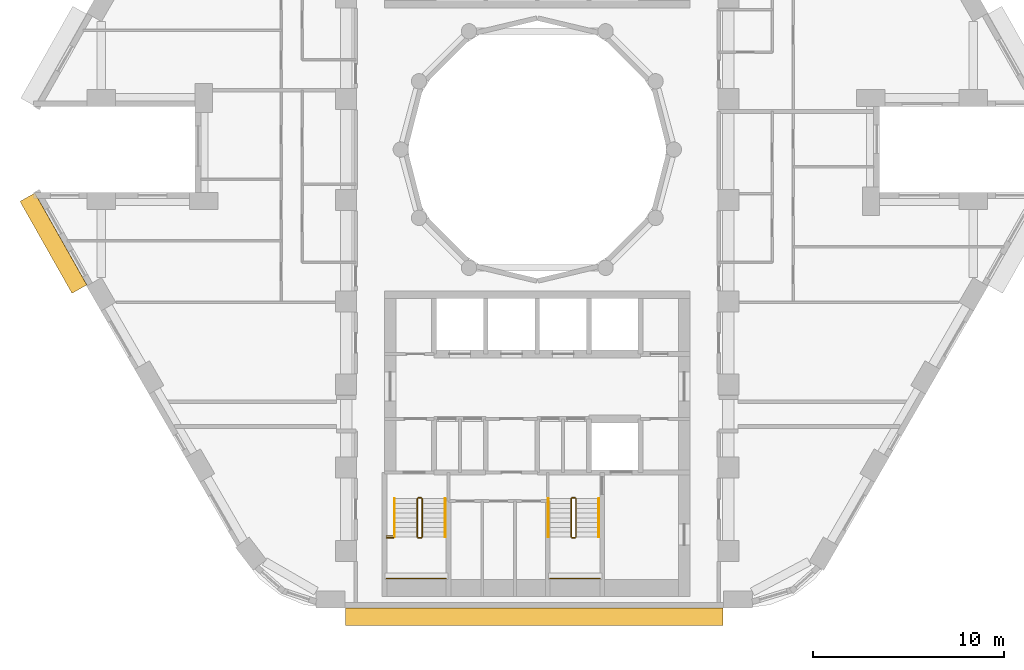
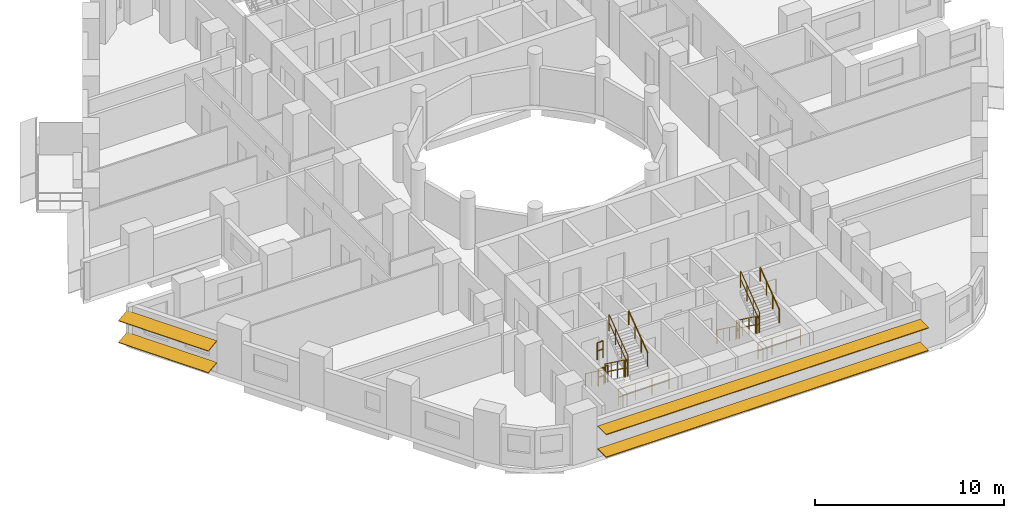
# One storey, part 11 of 13: 16 railings, 4 shading devices.
"""IFC4 building model written with IfcOpenShell, lengths in metres."""

from ifc_helpers import new_model, si_unit, direction, frame, origin, origin_2d, place, context, subcontext, project, spatial, rectangle, circle, extrude, material, material_profile, profile_set, type_object, element, save


model = new_model("IFC4")

# Units and contexts
model_context = context("Model", 3, precision=1e-05, world=origin(), true_north=direction((0.0, 1.0)))
body_context = subcontext(model_context, "Body", "Model", "MODEL_VIEW")
ifc_project = project(units=[si_unit("LENGTHUNIT", "METRE"), si_unit("AREAUNIT", "SQUARE_METRE"), si_unit("VOLUMEUNIT", "CUBIC_METRE"), si_unit("PLANEANGLEUNIT", "RADIAN"), si_unit("MASSUNIT", "GRAM", prefix="KILO")], contexts=[model_context])

# Site, building, storey
site_placement = place(None, origin())
site = spatial("IfcSite", under=ifc_project, at=site_placement, CompositionType="ELEMENT")
building_placement = place(site_placement, origin())
building = spatial("IfcBuilding", under=site, at=building_placement, Name="Nakaniwa Court", CompositionType="ELEMENT")
storey_placement = place(building_placement, frame((0.0, 0.0, 44.699951171875)))
storey = spatial("IfcBuildingStorey", under=building, at=storey_placement, Name="L11", CompositionType="ELEMENT", Elevation=44.699951171875)

# Shading devices
ifc_material_1 = material(Name="Perforated charcoal ceramic louvre blade")
ifc_material_profile = material_profile(ifc_material_1, rectangle(XDim=0.89990234375, YDim=0.050048828125, at=origin_2d()), Name="Perforated ceramic louvre blade")
ifc_profile_set = profile_set([ifc_material_profile], Name="Perforated charcoal ceramic louvre blade")
shading_device_type = type_object("IfcShadingDeviceType", Name="Perforated ceramic louvre blade", PredefinedType="JALOUSIE", material=ifc_profile_set)
for number, where, z_axis, x_axis, name in (
    (1, (53.31689453125, 77.508056640625, 0.550048828125), (0.492342539441, -0.870401530247, 0.0), (0.86275552304, 0.488017576221, 0.132256390257), "L11 perforated ceramic louvre blade w20 1"),
    (2, (53.31689453125, 77.508056640625, 1.955810546875), (0.492342539441, -0.870401530247, 0.0), (0.86275552304, 0.488017576221, 0.132256390257), "L11 perforated ceramic louvre blade w20 2"),
):
    element("IfcShadingDevice", number, at=place(storey_placement, frame(where, z_axis=z_axis, x_axis=x_axis)), inside=storey, type_object=shading_device_type, Name=name, PredefinedType="JALOUSIE", context=body_context, shape_type="SweptSolid", body=[
        extrude(rectangle(XDim=0.89990234375, YDim=0.050048828125, at=origin_2d()), origin(), (0.0, 0.0, 1.0), 5.526611328125),
    ])
for number, where, z_axis, x_axis, name in (
    (3, (69.97119140625, 55.550048828125, 0.550048828125), (1.0, 0.0, 0.0), (0.0, 1.0, 0.0), "L11 perforated ceramic louvre blade w26 1"),
    (4, (69.97119140625, 55.550048828125, 2.01513671875), (1.0, 0.0, 0.0), (0.0, 1.0, 0.0), "L11 perforated ceramic louvre blade w26 2"),
):
    element("IfcShadingDevice", number, at=place(storey_placement, frame(where, z_axis=z_axis, x_axis=x_axis)), inside=storey, type_object=shading_device_type, Name=name, PredefinedType="JALOUSIE", context=body_context, shape_type="SweptSolid", body=[
        extrude(rectangle(XDim=0.89990234375, YDim=0.050048828125, at=origin_2d()), origin(), (0.0, 0.0, 1.0), 19.739990234375),
    ])

# Railings
ifc_material_2 = material(Name="Black powder coated steel guard", Category="steel")
railing_type_1 = type_object("IfcRailingType", Name="Stair guard 1100", PredefinedType="GUARDRAIL", material=ifc_material_2)
railing_1_placement = place(storey_placement, frame((73.72509765625, 61.72509765625, 0.183349609375)))
element("IfcRailing", 5, at=railing_1_placement, inside=storey, type_object=railing_type_1, Name="L11 ST3 stair guard 1", PredefinedType="GUARDRAIL", context=body_context, shape_type="SweptSolid", body=[
    extrude(circle(Radius=0.02392578125, at=origin_2d()), frame((0.0, 0.0, 1.076171875), z_axis=(0.0, -0.806379959628, 0.591397802423), x_axis=(1.0, 0.0, 0.0)), (0.0, 0.0, 1.0), 2.480224609375),
    extrude(circle(Radius=0.02392578125, at=origin_2d()), frame((0.0, 0.0, 0.550048828125), z_axis=(0.0, -0.806379959628, 0.591397802423), x_axis=(1.0, 0.0, 0.0)), (0.0, 0.0, 1.0), 2.480224609375),
    extrude(circle(Radius=0.02099609375, at=origin_2d()), origin(), (0.0, 0.0, 1.0), 1.052001953125),
    extrude(circle(Radius=0.02099609375, at=origin_2d()), frame((0.0, -0.666748046875, 0.489013671875)), (0.0, 0.0, 1.0), 1.052001953125),
    extrude(circle(Radius=0.02099609375, at=origin_2d()), frame((0.0, -1.333251953125, 0.977783203125)), (0.0, 0.0, 1.0), 1.052001953125),
    extrude(circle(Radius=0.02099609375, at=origin_2d()), frame((0.0, -2.0, 1.466796875)), (0.0, 0.0, 1.0), 1.052001953125),
])
railing_2_placement = place(storey_placement, frame((73.77490234375, 59.675048828125, 1.650146484375)))
element("IfcRailing", 6, at=railing_2_placement, inside=storey, type_object=railing_type_1, Name="L11 ST3 stair guard 2", PredefinedType="GUARDRAIL", context=body_context, shape_type="SweptSolid", body=[
    extrude(circle(Radius=0.02392578125, at=origin_2d()), frame((0.0, 0.0, 1.076171875), z_axis=(1.0, 0.0, 0.0), x_axis=(0.0, 1.0, 0.0)), (0.0, 0.0, 1.0), 0.150146484375),
    extrude(circle(Radius=0.02392578125, at=origin_2d()), frame((0.0, 0.0, 0.550048828125), z_axis=(1.0, 0.0, 0.0), x_axis=(0.0, 1.0, 0.0)), (0.0, 0.0, 1.0), 0.150146484375),
    extrude(circle(Radius=0.02099609375, at=origin_2d()), origin(), (0.0, 0.0, 1.0), 1.052001953125),
    extrude(circle(Radius=0.02099609375, at=origin_2d()), frame((0.150146484375, 0.0, 0.0)), (0.0, 0.0, 1.0), 1.052001953125),
])
railing_3_placement = place(storey_placement, frame((73.97509765625, 59.72509765625, 1.83349609375)))
element("IfcRailing", 7, at=railing_3_placement, inside=storey, type_object=railing_type_1, Name="L11 ST3 stair guard 3", PredefinedType="GUARDRAIL", context=body_context, shape_type="SweptSolid", body=[
    extrude(circle(Radius=0.02392578125, at=origin_2d()), frame((0.0, 0.0, 1.076171875), z_axis=(0.0, 0.806426902644, 0.591333789573), x_axis=(-1.0, 0.0, 0.0)), (0.0, 0.0, 1.0), 2.47998046875),
    extrude(circle(Radius=0.02392578125, at=origin_2d()), frame((0.0, 0.0, 0.550048828125), z_axis=(0.0, 0.806426902644, 0.591333789573), x_axis=(-1.0, 0.0, 0.0)), (0.0, 0.0, 1.0), 2.47998046875),
    extrude(circle(Radius=0.02099609375, at=origin_2d()), origin(), (0.0, 0.0, 1.0), 1.052001953125),
    extrude(circle(Radius=0.02099609375, at=origin_2d()), frame((0.0, 0.666748046875, 0.48876953125)), (0.0, 0.0, 1.0), 1.052001953125),
    extrude(circle(Radius=0.02099609375, at=origin_2d()), frame((0.0, 1.333251953125, 0.977783203125)), (0.0, 0.0, 1.0), 1.052001953125),
    extrude(circle(Radius=0.02099609375, at=origin_2d()), frame((0.0, 2.0, 1.466552734375)), (0.0, 0.0, 1.0), 1.052001953125),
])
railing_4_placement = place(storey_placement, frame((73.77490234375, 61.77490234375, 0.0)))
element("IfcRailing", 8, at=railing_4_placement, inside=storey, type_object=railing_type_1, Name="L11 ST3 stair guard 4", PredefinedType="GUARDRAIL", context=body_context, shape_type="SweptSolid", body=[
    extrude(circle(Radius=0.02392578125, at=origin_2d()), frame((0.0, 0.0, 1.076171875), z_axis=(1.0, 0.0, 0.0), x_axis=(0.0, 1.0, 0.0)), (0.0, 0.0, 1.0), 0.150146484375),
    extrude(circle(Radius=0.02392578125, at=origin_2d()), frame((0.0, 0.0, 0.550048828125), z_axis=(1.0, 0.0, 0.0), x_axis=(0.0, 1.0, 0.0)), (0.0, 0.0, 1.0), 0.150146484375),
    extrude(circle(Radius=0.02099609375, at=origin_2d()), origin(), (0.0, 0.0, 1.0), 1.052001953125),
    extrude(circle(Radius=0.02099609375, at=origin_2d()), frame((0.150146484375, 0.0, 0.0)), (0.0, 0.0, 1.0), 1.052001953125),
])
railing_5_placement = place(storey_placement, frame((72.125, 57.550048828125, 1.650146484375)))
element("IfcRailing", 9, at=railing_5_placement, inside=storey, type_object=railing_type_1, Name="L11 ST3 landing end guard 1", PredefinedType="GUARDRAIL", context=body_context, shape_type="SweptSolid", body=[
    extrude(circle(Radius=0.02392578125, at=origin_2d()), frame((0.0, 0.0, 1.076171875), z_axis=(1.0, 0.0, 0.0), x_axis=(0.0, 1.0, 0.0)), (0.0, 0.0, 1.0), 3.10009765625),
    extrude(circle(Radius=0.02392578125, at=origin_2d()), frame((0.0, 0.0, 0.550048828125), z_axis=(1.0, 0.0, 0.0), x_axis=(0.0, 1.0, 0.0)), (0.0, 0.0, 1.0), 3.10009765625),
    extrude(circle(Radius=0.02099609375, at=origin_2d()), origin(), (0.0, 0.0, 1.0), 1.052001953125),
    extrude(circle(Radius=0.02099609375, at=origin_2d()), frame((1.033447265625, 0.0, 0.0)), (0.0, 0.0, 1.0), 1.052001953125),
    extrude(circle(Radius=0.02099609375, at=origin_2d()), frame((2.066650390625, 0.0, 0.0)), (0.0, 0.0, 1.0), 1.052001953125),
    extrude(circle(Radius=0.02099609375, at=origin_2d()), frame((3.10009765625, 0.0, 0.0)), (0.0, 0.0, 1.0), 1.052001953125),
])
for number, where, name in (
    (10, (72.125, 59.675048828125, 1.650146484375), "L11 ST3 landing side guard 1W"),
    (11, (72.125, 59.77490234375, 3.300048828125), "L11 ST3 floor edge guard 1W"),
):
    element("IfcRailing", number, at=place(storey_placement, frame(where)), inside=storey, type_object=railing_type_1, Name=name, PredefinedType="GUARDRAIL", context=body_context, shape_type="SweptSolid", body=[
        extrude(circle(Radius=0.02392578125, at=origin_2d()), frame((0.0, 0.0, 1.076171875), z_axis=(1.0, 0.0, 0.0), x_axis=(0.0, 1.0, 0.0)), (0.0, 0.0, 1.0), 0.35009765625),
        extrude(circle(Radius=0.02392578125, at=origin_2d()), frame((0.0, 0.0, 0.550048828125), z_axis=(1.0, 0.0, 0.0), x_axis=(0.0, 1.0, 0.0)), (0.0, 0.0, 1.0), 0.35009765625),
        extrude(circle(Radius=0.02099609375, at=origin_2d()), origin(), (0.0, 0.0, 1.0), 1.052001953125),
        extrude(circle(Radius=0.02099609375, at=origin_2d()), frame((0.35009765625, 0.0, 0.0)), (0.0, 0.0, 1.0), 1.052001953125),
    ])
railing_6_placement = place(storey_placement, frame((81.77490234375, 61.72509765625, 0.183349609375)))
element("IfcRailing", 12, at=railing_6_placement, inside=storey, type_object=railing_type_1, Name="L11 ST4 stair guard 1", PredefinedType="GUARDRAIL", context=body_context, shape_type="SweptSolid", body=[
    extrude(circle(Radius=0.02392578125, at=origin_2d()), frame((0.0, 0.0, 1.076171875), z_axis=(0.0, -0.806379959628, 0.591397802423), x_axis=(1.0, 0.0, 0.0)), (0.0, 0.0, 1.0), 2.480224609375),
    extrude(circle(Radius=0.02392578125, at=origin_2d()), frame((0.0, 0.0, 0.550048828125), z_axis=(0.0, -0.806379959628, 0.591397802423), x_axis=(1.0, 0.0, 0.0)), (0.0, 0.0, 1.0), 2.480224609375),
    extrude(circle(Radius=0.02099609375, at=origin_2d()), origin(), (0.0, 0.0, 1.0), 1.052001953125),
    extrude(circle(Radius=0.02099609375, at=origin_2d()), frame((0.0, -0.666748046875, 0.489013671875)), (0.0, 0.0, 1.0), 1.052001953125),
    extrude(circle(Radius=0.02099609375, at=origin_2d()), frame((0.0, -1.333251953125, 0.977783203125)), (0.0, 0.0, 1.0), 1.052001953125),
    extrude(circle(Radius=0.02099609375, at=origin_2d()), frame((0.0, -2.0, 1.466796875)), (0.0, 0.0, 1.0), 1.052001953125),
])
railing_7_placement = place(storey_placement, frame((81.824951171875, 59.675048828125, 1.650146484375)))
element("IfcRailing", 13, at=railing_7_placement, inside=storey, type_object=railing_type_1, Name="L11 ST4 stair guard 2", PredefinedType="GUARDRAIL", context=body_context, shape_type="SweptSolid", body=[
    extrude(circle(Radius=0.02392578125, at=origin_2d()), frame((0.0, 0.0, 1.076171875), z_axis=(1.0, 0.0, 0.0), x_axis=(0.0, 1.0, 0.0)), (0.0, 0.0, 1.0), 0.150146484375),
    extrude(circle(Radius=0.02392578125, at=origin_2d()), frame((0.0, 0.0, 0.550048828125), z_axis=(1.0, 0.0, 0.0), x_axis=(0.0, 1.0, 0.0)), (0.0, 0.0, 1.0), 0.150146484375),
    extrude(circle(Radius=0.02099609375, at=origin_2d()), origin(), (0.0, 0.0, 1.0), 1.052001953125),
    extrude(circle(Radius=0.02099609375, at=origin_2d()), frame((0.150146484375, 0.0, 0.0)), (0.0, 0.0, 1.0), 1.052001953125),
])
railing_8_placement = place(storey_placement, frame((82.02490234375, 59.72509765625, 1.83349609375)))
element("IfcRailing", 14, at=railing_8_placement, inside=storey, type_object=railing_type_1, Name="L11 ST4 stair guard 3", PredefinedType="GUARDRAIL", context=body_context, shape_type="SweptSolid", body=[
    extrude(circle(Radius=0.02392578125, at=origin_2d()), frame((0.0, 0.0, 1.076171875), z_axis=(0.0, 0.806426902644, 0.591333789573), x_axis=(-1.0, 0.0, 0.0)), (0.0, 0.0, 1.0), 2.47998046875),
    extrude(circle(Radius=0.02392578125, at=origin_2d()), frame((0.0, 0.0, 0.550048828125), z_axis=(0.0, 0.806426902644, 0.591333789573), x_axis=(-1.0, 0.0, 0.0)), (0.0, 0.0, 1.0), 2.47998046875),
    extrude(circle(Radius=0.02099609375, at=origin_2d()), origin(), (0.0, 0.0, 1.0), 1.052001953125),
    extrude(circle(Radius=0.02099609375, at=origin_2d()), frame((0.0, 0.666748046875, 0.48876953125)), (0.0, 0.0, 1.0), 1.052001953125),
    extrude(circle(Radius=0.02099609375, at=origin_2d()), frame((0.0, 1.333251953125, 0.977783203125)), (0.0, 0.0, 1.0), 1.052001953125),
    extrude(circle(Radius=0.02099609375, at=origin_2d()), frame((0.0, 2.0, 1.466552734375)), (0.0, 0.0, 1.0), 1.052001953125),
])
railing_9_placement = place(storey_placement, frame((81.824951171875, 61.77490234375, 0.0)))
element("IfcRailing", 15, at=railing_9_placement, inside=storey, type_object=railing_type_1, Name="L11 ST4 stair guard 4", PredefinedType="GUARDRAIL", context=body_context, shape_type="SweptSolid", body=[
    extrude(circle(Radius=0.02392578125, at=origin_2d()), frame((0.0, 0.0, 1.076171875), z_axis=(1.0, 0.0, 0.0), x_axis=(0.0, 1.0, 0.0)), (0.0, 0.0, 1.0), 0.150146484375),
    extrude(circle(Radius=0.02392578125, at=origin_2d()), frame((0.0, 0.0, 0.550048828125), z_axis=(1.0, 0.0, 0.0), x_axis=(0.0, 1.0, 0.0)), (0.0, 0.0, 1.0), 0.150146484375),
    extrude(circle(Radius=0.02099609375, at=origin_2d()), origin(), (0.0, 0.0, 1.0), 1.052001953125),
    extrude(circle(Radius=0.02099609375, at=origin_2d()), frame((0.150146484375, 0.0, 0.0)), (0.0, 0.0, 1.0), 1.052001953125),
])
railing_10_placement = place(storey_placement, frame((80.675048828125, 57.550048828125, 1.650146484375)))
element("IfcRailing", 16, at=railing_10_placement, inside=storey, type_object=railing_type_1, Name="L11 ST4 landing end guard 1", PredefinedType="GUARDRAIL", context=body_context, shape_type="SweptSolid", body=[
    extrude(circle(Radius=0.02392578125, at=origin_2d()), frame((0.0, 0.0, 1.076171875), z_axis=(1.0, 0.0, 0.0), x_axis=(0.0, 1.0, 0.0)), (0.0, 0.0, 1.0), 2.599853515625),
    extrude(circle(Radius=0.02392578125, at=origin_2d()), frame((0.0, 0.0, 0.550048828125), z_axis=(1.0, 0.0, 0.0), x_axis=(0.0, 1.0, 0.0)), (0.0, 0.0, 1.0), 2.599853515625),
    extrude(circle(Radius=0.02099609375, at=origin_2d()), origin(), (0.0, 0.0, 1.0), 1.052001953125),
    extrude(circle(Radius=0.02099609375, at=origin_2d()), frame((0.86669921875, 0.0, 0.0)), (0.0, 0.0, 1.0), 1.052001953125),
    extrude(circle(Radius=0.02099609375, at=origin_2d()), frame((1.733154296875, 0.0, 0.0)), (0.0, 0.0, 1.0), 1.052001953125),
    extrude(circle(Radius=0.02099609375, at=origin_2d()), frame((2.599853515625, 0.0, 0.0)), (0.0, 0.0, 1.0), 1.052001953125),
])
ifc_material_3 = material(Name="Black powder coated steel handrail", Category="steel")
railing_type_2 = type_object("IfcRailingType", Name="Stair handrail 900", PredefinedType="HANDRAIL", material=ifc_material_3)
railing_11_placement = place(storey_placement, frame((72.52490234375, 61.72509765625, 0.183349609375)))
element("IfcRailing", 17, at=railing_11_placement, inside=storey, type_object=railing_type_2, Name="L11 ST3 stair handrail 1", PredefinedType="HANDRAIL", context=body_context, shape_type="SweptSolid", body=[
    extrude(circle(Radius=0.02392578125, at=origin_2d()), frame((0.0, 0.0, 0.8759765625), z_axis=(0.0, -0.806379959628, 0.591397802423), x_axis=(1.0, 0.0, 0.0)), (0.0, 0.0, 1.0), 2.480224609375),
    extrude(circle(Radius=0.02099609375, at=origin_2d()), origin(), (0.0, 0.0, 1.0), 0.851806640625),
    extrude(circle(Radius=0.02099609375, at=origin_2d()), frame((0.0, -0.666748046875, 0.489013671875)), (0.0, 0.0, 1.0), 0.851806640625),
    extrude(circle(Radius=0.02099609375, at=origin_2d()), frame((0.0, -1.333251953125, 0.977783203125)), (0.0, 0.0, 1.0), 0.851806640625),
    extrude(circle(Radius=0.02099609375, at=origin_2d()), frame((0.0, -2.0, 1.466796875)), (0.0, 0.0, 1.0), 0.851806640625),
])
railing_12_placement = place(storey_placement, frame((75.175048828125, 59.72509765625, 1.83349609375)))
element("IfcRailing", 18, at=railing_12_placement, inside=storey, type_object=railing_type_2, Name="L11 ST3 stair handrail 2", PredefinedType="HANDRAIL", context=body_context, shape_type="SweptSolid", body=[
    extrude(circle(Radius=0.02392578125, at=origin_2d()), frame((0.0, 0.0, 0.8759765625), z_axis=(0.0, 0.806426902644, 0.591333789573), x_axis=(-1.0, 0.0, 0.0)), (0.0, 0.0, 1.0), 2.47998046875),
    extrude(circle(Radius=0.02099609375, at=origin_2d()), origin(), (0.0, 0.0, 1.0), 0.851806640625),
    extrude(circle(Radius=0.02099609375, at=origin_2d()), frame((0.0, 0.666748046875, 0.48876953125)), (0.0, 0.0, 1.0), 0.851806640625),
    extrude(circle(Radius=0.02099609375, at=origin_2d()), frame((0.0, 1.333251953125, 0.977783203125)), (0.0, 0.0, 1.0), 0.851806640625),
    extrude(circle(Radius=0.02099609375, at=origin_2d()), frame((0.0, 2.0, 1.466552734375)), (0.0, 0.0, 1.0), 0.851806640625),
])
railing_13_placement = place(storey_placement, frame((80.574951171875, 61.72509765625, 0.183349609375)))
element("IfcRailing", 19, at=railing_13_placement, inside=storey, type_object=railing_type_2, Name="L11 ST4 stair handrail 1", PredefinedType="HANDRAIL", context=body_context, shape_type="SweptSolid", body=[
    extrude(circle(Radius=0.02392578125, at=origin_2d()), frame((0.0, 0.0, 0.8759765625), z_axis=(0.0, -0.806379959628, 0.591397802423), x_axis=(1.0, 0.0, 0.0)), (0.0, 0.0, 1.0), 2.480224609375),
    extrude(circle(Radius=0.02099609375, at=origin_2d()), origin(), (0.0, 0.0, 1.0), 0.851806640625),
    extrude(circle(Radius=0.02099609375, at=origin_2d()), frame((0.0, -0.666748046875, 0.489013671875)), (0.0, 0.0, 1.0), 0.851806640625),
    extrude(circle(Radius=0.02099609375, at=origin_2d()), frame((0.0, -1.333251953125, 0.977783203125)), (0.0, 0.0, 1.0), 0.851806640625),
    extrude(circle(Radius=0.02099609375, at=origin_2d()), frame((0.0, -2.0, 1.466796875)), (0.0, 0.0, 1.0), 0.851806640625),
])
railing_14_placement = place(storey_placement, frame((83.22509765625, 59.72509765625, 1.83349609375)))
element("IfcRailing", 20, at=railing_14_placement, inside=storey, type_object=railing_type_2, Name="L11 ST4 stair handrail 2", PredefinedType="HANDRAIL", context=body_context, shape_type="SweptSolid", body=[
    extrude(circle(Radius=0.02392578125, at=origin_2d()), frame((0.0, 0.0, 0.8759765625), z_axis=(0.0, 0.806426902644, 0.591333789573), x_axis=(-1.0, 0.0, 0.0)), (0.0, 0.0, 1.0), 2.47998046875),
    extrude(circle(Radius=0.02099609375, at=origin_2d()), origin(), (0.0, 0.0, 1.0), 0.851806640625),
    extrude(circle(Radius=0.02099609375, at=origin_2d()), frame((0.0, 0.666748046875, 0.48876953125)), (0.0, 0.0, 1.0), 0.851806640625),
    extrude(circle(Radius=0.02099609375, at=origin_2d()), frame((0.0, 1.333251953125, 0.977783203125)), (0.0, 0.0, 1.0), 0.851806640625),
    extrude(circle(Radius=0.02099609375, at=origin_2d()), frame((0.0, 2.0, 1.466552734375)), (0.0, 0.0, 1.0), 0.851806640625),
])

save(model, "model.ifc")
